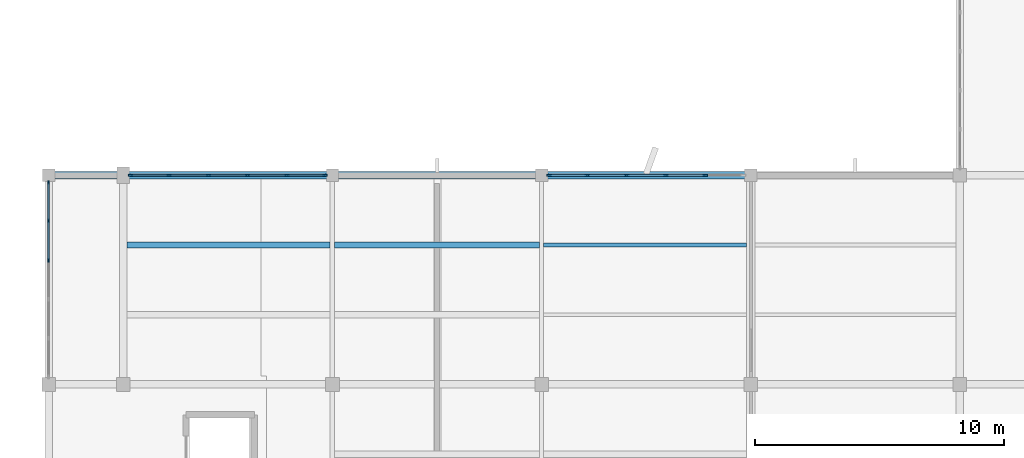
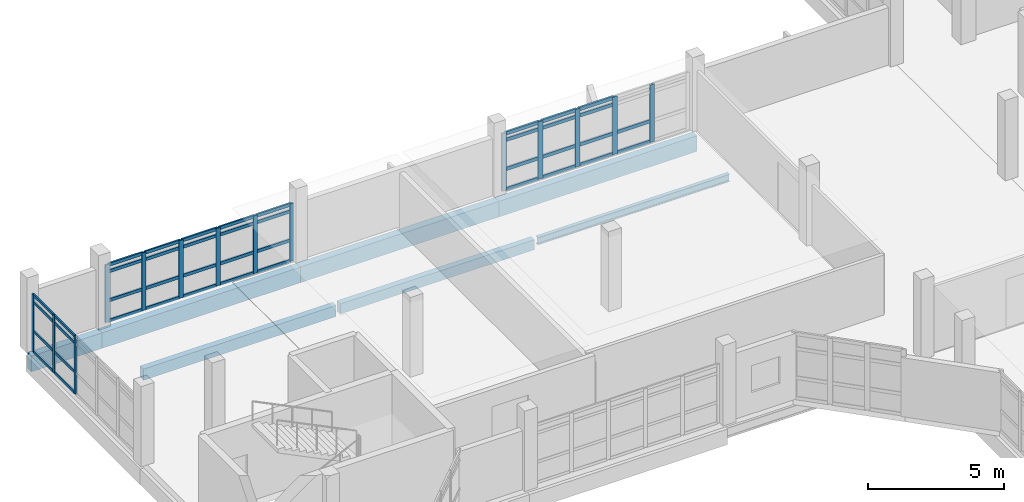
# One storey, part 17 of 51: 56 members, 7 beams, 3 elements without a shape of their own.
"""IFC4 building model written with IfcOpenShell, lengths in metres."""

from ifc_helpers import new_model, si_unit, direction, frame, origin, origin_2d, place, context, subcontext, project, spatial, rectangle, i_section, extrude, material, material_profile, profile_set, type_object, element, aggregate, save


model = new_model("IFC4")

# Units and contexts
model_context = context("Model", 3, precision=1e-05, world=origin(), true_north=direction((0.0, 1.0)))
body_context = subcontext(model_context, "Body", "Model", "MODEL_VIEW")
ifc_project = project(units=[si_unit("LENGTHUNIT", "METRE"), si_unit("AREAUNIT", "SQUARE_METRE"), si_unit("VOLUMEUNIT", "CUBIC_METRE"), si_unit("PLANEANGLEUNIT", "RADIAN"), si_unit("MASSUNIT", "GRAM", prefix="KILO")], contexts=[model_context])

# Site, building, storey
site_placement = place(None, origin())
site = spatial("IfcSite", under=ifc_project, at=site_placement, CompositionType="ELEMENT")
building_placement = place(site_placement, origin())
building = spatial("IfcBuilding", under=site, at=building_placement, Name="Vanh Quang Courtyard School", CompositionType="ELEMENT")
storey_placement = place(building_placement, frame((0.0, 0.0, 11.39990234375)))
storey = spatial("IfcBuildingStorey", under=building, at=storey_placement, Name="L03", CompositionType="ELEMENT", Elevation=11.39990234375)

# Beams
ifc_material_1 = material(Name="Concrete C35/45", Category="concrete")
ifc_material_profile_1 = material_profile(ifc_material_1, rectangle(XDim=0.300048828125, YDim=0.699951171875, at=origin_2d()), Name="RC-SP 300x700")
ifc_profile_set_1 = profile_set([ifc_material_profile_1], Name="Concrete C35/45")
beam_type_1 = type_object("IfcBeamType", Name="BM-SP-300x700", PredefinedType="SPANDREL", material=ifc_profile_set_1)
beam_1_placement = place(storey_placement, frame((37.800048828125, 88.199951171875, -0.64990234375), z_axis=(1.0, 0.0, 0.0), x_axis=(0.0, 1.0, 0.0)))
element("IfcBeam", 1, at=beam_1_placement, inside=storey, type_object=beam_type_1, Name="Beam BS-01 (L03)", PredefinedType="SPANDREL", context=body_context, shape_type="SweptSolid", body=[
    extrude(rectangle(XDim=0.300048828125, YDim=0.699951171875, at=origin_2d()), origin(), (0.0, 0.0, 1.0), 3.0),
])
beam_2_placement = place(storey_placement, frame((40.800048828125, 88.199951171875, -0.64990234375), z_axis=(1.0, 0.0, 0.0), x_axis=(0.0, 1.0, 0.0)))
element("IfcBeam", 2, at=beam_2_placement, inside=storey, type_object=beam_type_1, Name="Beam BS-01 (L03)", PredefinedType="SPANDREL", context=body_context, shape_type="SweptSolid", body=[
    extrude(rectangle(XDim=0.300048828125, YDim=0.699951171875, at=origin_2d()), origin(), (0.0, 0.0, 1.0), 8.39990234375),
])
beam_3_placement = place(storey_placement, frame((49.199951171875, 88.199951171875, -0.64990234375), z_axis=(1.0, 0.0, 0.0), x_axis=(0.0, 1.0, 0.0)))
element("IfcBeam", 3, at=beam_3_placement, inside=storey, type_object=beam_type_1, Name="Beam BS-01 (L03)", PredefinedType="SPANDREL", context=body_context, shape_type="SweptSolid", body=[
    extrude(rectangle(XDim=0.300048828125, YDim=0.699951171875, at=origin_2d()), origin(), (0.0, 0.0, 1.0), 8.400146484375),
])
beam_4_placement = place(storey_placement, frame((57.60009765625, 88.199951171875, -0.64990234375), z_axis=(1.0, 0.0, 0.0), x_axis=(0.0, 1.0, 0.0)))
element("IfcBeam", 4, at=beam_4_placement, inside=storey, type_object=beam_type_1, Name="Beam BS-01 (L03)", PredefinedType="SPANDREL", context=body_context, shape_type="SweptSolid", body=[
    extrude(rectangle(XDim=0.300048828125, YDim=0.699951171875, at=origin_2d()), origin(), (0.0, 0.0, 1.0), 8.39990234375),
])

# Curtain wall, members
ifc_material_2 = material(Name="Thermally broken aluminium unitised curtain wall", Category="aluminium")
curtain_wall_type = type_object("IfcCurtainWallType", Name="CW-SYS-19", PredefinedType="NOTDEFINED", material=ifc_material_2)
curtain_wall_1_placement = place(storey_placement, origin())
curtain_wall_1 = element("IfcCurtainWall", 5, at=curtain_wall_1_placement, inside=storey, type_object=curtain_wall_type, Name="Curtain Wall CW-19 (L03)", PredefinedType="NOTDEFINED")
ifc_material_3 = material(Name="Anodised aluminium 6063-T6", Category="aluminium")
ifc_material_profile_2 = material_profile(ifc_material_3, rectangle(XDim=0.06005859375, YDim=0.159912109375, at=origin_2d()), Name="ALU-MUL 60x160")
ifc_profile_set_2 = profile_set([ifc_material_profile_2], Name="Anodised aluminium 6063-T6")
member_type_1 = type_object("IfcMemberType", Name="CW-MUL-60x160", PredefinedType="MULLION", material=ifc_profile_set_2)
member_1_placement = place(storey_placement, frame((37.800048828125, 84.79833984375, 0.0), z_axis=(0.0, 0.0, 1.0), x_axis=(-1.0, 0.0, 0.0)))
member_1 = element("IfcMember", 6, at=member_1_placement, type_object=member_type_1, Name="CW-19 mullion 4", PredefinedType="MULLION", context=body_context, shape_type="SweptSolid", body=[
    extrude(rectangle(XDim=0.06005859375, YDim=0.159912109375, at=origin_2d()), origin(), (0.0, 0.0, 1.0), 2.580078125),
])
member_2_placement = place(storey_placement, frame((37.800048828125, 86.3701171875, 0.0), z_axis=(0.0, 0.0, 1.0), x_axis=(-1.0, 0.0, 0.0)))
member_2 = element("IfcMember", 7, at=member_2_placement, type_object=member_type_1, Name="CW-19 mullion 5", PredefinedType="MULLION", context=body_context, shape_type="SweptSolid", body=[
    extrude(rectangle(XDim=0.06005859375, YDim=0.159912109375, at=origin_2d()), origin(), (0.0, 0.0, 1.0), 2.580078125),
])
member_3_placement = place(storey_placement, frame((37.800048828125, 87.912109375, 0.0), z_axis=(0.0, 0.0, 1.0), x_axis=(-1.0, 0.0, 0.0)))
member_3 = element("IfcMember", 8, at=member_3_placement, type_object=member_type_1, Name="CW-19 mullion 6", PredefinedType="MULLION", context=body_context, shape_type="SweptSolid", body=[
    extrude(rectangle(XDim=0.06005859375, YDim=0.159912109375, at=origin_2d()), origin(), (0.0, 0.0, 1.0), 2.580078125),
])

curtain_wall_2_placement = place(storey_placement, origin())
curtain_wall_2 = element("IfcCurtainWall", 9, at=curtain_wall_2_placement, inside=storey, type_object=curtain_wall_type, Name="Curtain Wall CW-19 (L03)", PredefinedType="NOTDEFINED")
ifc_material_profile_3 = material_profile(ifc_material_3, rectangle(XDim=0.070068359375, YDim=0.179931640625, at=origin_2d()), Name="ALU-MUL 70x180")
ifc_profile_set_3 = profile_set([ifc_material_profile_3], Name="Anodised aluminium 6063-T6")
member_type_2 = type_object("IfcMemberType", Name="CW-MUL-70x180", PredefinedType="MULLION", material=ifc_profile_set_3)
member_4_placement = place(storey_placement, frame((41.093017578125, 88.199951171875, 0.0), z_axis=(0.0, 0.0, 1.0), x_axis=(0.0, 1.0, 0.0)))
member_4 = element("IfcMember", 10, at=member_4_placement, type_object=member_type_2, Name="CW-19 mullion 1", PredefinedType="MULLION", context=body_context, shape_type="SweptSolid", body=[
    extrude(rectangle(XDim=0.070068359375, YDim=0.179931640625, at=origin_2d()), origin(), (0.0, 0.0, 1.0), 2.580078125),
])
member_5_placement = place(storey_placement, frame((42.634765625, 88.199951171875, 0.0), z_axis=(0.0, 0.0, 1.0), x_axis=(0.0, 1.0, 0.0)))
member_5 = element("IfcMember", 11, at=member_5_placement, type_object=member_type_2, Name="CW-19 mullion 2", PredefinedType="MULLION", context=body_context, shape_type="SweptSolid", body=[
    extrude(rectangle(XDim=0.070068359375, YDim=0.179931640625, at=origin_2d()), origin(), (0.0, 0.0, 1.0), 2.580078125),
])
member_6_placement = place(storey_placement, frame((44.211669921875, 88.199951171875, 0.0), z_axis=(0.0, 0.0, 1.0), x_axis=(0.0, 1.0, 0.0)))
member_6 = element("IfcMember", 12, at=member_6_placement, type_object=member_type_2, Name="CW-19 mullion 3", PredefinedType="MULLION", context=body_context, shape_type="SweptSolid", body=[
    extrude(rectangle(XDim=0.070068359375, YDim=0.179931640625, at=origin_2d()), origin(), (0.0, 0.0, 1.0), 2.580078125),
])
member_7_placement = place(storey_placement, frame((45.788330078125, 88.199951171875, 0.0), z_axis=(0.0, 0.0, 1.0), x_axis=(0.0, 1.0, 0.0)))
member_7 = element("IfcMember", 13, at=member_7_placement, type_object=member_type_2, Name="CW-19 mullion 4", PredefinedType="MULLION", context=body_context, shape_type="SweptSolid", body=[
    extrude(rectangle(XDim=0.070068359375, YDim=0.179931640625, at=origin_2d()), origin(), (0.0, 0.0, 1.0), 2.580078125),
])
member_8_placement = place(storey_placement, frame((47.365234375, 88.199951171875, 0.0), z_axis=(0.0, 0.0, 1.0), x_axis=(0.0, 1.0, 0.0)))
member_8 = element("IfcMember", 14, at=member_8_placement, type_object=member_type_2, Name="CW-19 mullion 5", PredefinedType="MULLION", context=body_context, shape_type="SweptSolid", body=[
    extrude(rectangle(XDim=0.070068359375, YDim=0.179931640625, at=origin_2d()), origin(), (0.0, 0.0, 1.0), 2.580078125),
])
member_9_placement = place(storey_placement, frame((48.906982421875, 88.199951171875, 0.0), z_axis=(0.0, 0.0, 1.0), x_axis=(0.0, 1.0, 0.0)))
member_9 = element("IfcMember", 15, at=member_9_placement, type_object=member_type_2, Name="CW-19 mullion 6", PredefinedType="MULLION", context=body_context, shape_type="SweptSolid", body=[
    extrude(rectangle(XDim=0.070068359375, YDim=0.179931640625, at=origin_2d()), origin(), (0.0, 0.0, 1.0), 2.580078125),
])

curtain_wall_3_placement = place(storey_placement, origin())
curtain_wall_3 = element("IfcCurtainWall", 16, at=curtain_wall_3_placement, inside=storey, type_object=curtain_wall_type, Name="Curtain Wall CW-19 (L03)", PredefinedType="NOTDEFINED")
ifc_material_profile_4 = material_profile(ifc_material_3, rectangle(XDim=0.080078125, YDim=0.199951171875, at=origin_2d()), Name="ALU-MUL 80x200")
ifc_profile_set_4 = profile_set([ifc_material_profile_4], Name="Anodised aluminium 6063-T6")
member_type_3 = type_object("IfcMemberType", Name="CW-MUL-80x200", PredefinedType="MULLION", material=ifc_profile_set_4)
member_10_placement = place(storey_placement, frame((57.89794921875, 88.199951171875, 0.0), z_axis=(0.0, 0.0, 1.0), x_axis=(0.0, 1.0, 0.0)))
member_10 = element("IfcMember", 17, at=member_10_placement, type_object=member_type_3, Name="CW-19 mullion 1", PredefinedType="MULLION", context=body_context, shape_type="SweptSolid", body=[
    extrude(rectangle(XDim=0.080078125, YDim=0.199951171875, at=origin_2d()), origin(), (0.0, 0.0, 1.0), 2.580078125),
])
member_11_placement = place(storey_placement, frame((59.434814453125, 88.199951171875, 0.0), z_axis=(0.0, 0.0, 1.0), x_axis=(0.0, 1.0, 0.0)))
member_11 = element("IfcMember", 18, at=member_11_placement, type_object=member_type_3, Name="CW-19 mullion 2", PredefinedType="MULLION", context=body_context, shape_type="SweptSolid", body=[
    extrude(rectangle(XDim=0.080078125, YDim=0.199951171875, at=origin_2d()), origin(), (0.0, 0.0, 1.0), 2.580078125),
])
member_12_placement = place(storey_placement, frame((61.01171875, 88.199951171875, 0.0), z_axis=(0.0, 0.0, 1.0), x_axis=(0.0, 1.0, 0.0)))
member_12 = element("IfcMember", 19, at=member_12_placement, type_object=member_type_3, Name="CW-19 mullion 3", PredefinedType="MULLION", context=body_context, shape_type="SweptSolid", body=[
    extrude(rectangle(XDim=0.080078125, YDim=0.199951171875, at=origin_2d()), origin(), (0.0, 0.0, 1.0), 2.580078125),
])
member_13_placement = place(storey_placement, frame((62.58837890625, 88.199951171875, 0.0), z_axis=(0.0, 0.0, 1.0), x_axis=(0.0, 1.0, 0.0)))
member_13 = element("IfcMember", 20, at=member_13_placement, type_object=member_type_3, Name="CW-19 mullion 4", PredefinedType="MULLION", context=body_context, shape_type="SweptSolid", body=[
    extrude(rectangle(XDim=0.080078125, YDim=0.199951171875, at=origin_2d()), origin(), (0.0, 0.0, 1.0), 2.580078125),
])
member_14_placement = place(storey_placement, frame((64.165283203125, 88.199951171875, 0.0), z_axis=(0.0, 0.0, 1.0), x_axis=(0.0, 1.0, 0.0)))
member_14 = element("IfcMember", 21, at=member_14_placement, type_object=member_type_3, Name="CW-19 mullion 5", PredefinedType="MULLION", context=body_context, shape_type="SweptSolid", body=[
    extrude(rectangle(XDim=0.080078125, YDim=0.199951171875, at=origin_2d()), origin(), (0.0, 0.0, 1.0), 2.580078125),
])

# Member
ifc_material_profile_5 = material_profile(ifc_material_3, rectangle(XDim=0.06005859375, YDim=0.1201171875, at=origin_2d()), Name="ALU-TRN 60x120")
ifc_profile_set_5 = profile_set([ifc_material_profile_5], Name="Anodised aluminium 6063-T6")
member_type_4 = type_object("IfcMemberType", Name="CW-TRN-60x120", PredefinedType="USERDEFINED", material=ifc_profile_set_5)
member_15_placement = place(storey_placement, frame((37.800048828125, 84.828369140625, 0.030029296875), z_axis=(0.0, 1.0, 0.0), x_axis=(-1.0, 0.0, 0.0)))
member_15 = element("IfcMember", 22, at=member_15_placement, type_object=member_type_4, Name="CW-19 transom 4.1", ObjectType="TRANSOM", PredefinedType="USERDEFINED", context=body_context, shape_type="SweptSolid", body=[
    extrude(rectangle(XDim=0.06005859375, YDim=0.1201171875, at=origin_2d()), origin(), (0.0, 0.0, 1.0), 1.51171875),
])

member_16_placement = place(storey_placement, frame((37.800048828125, 84.828369140625, 0.9501953125), z_axis=(0.0, 1.0, 0.0), x_axis=(-1.0, 0.0, 0.0)))
member_16 = element("IfcMember", 23, at=member_16_placement, type_object=member_type_4, Name="CW-19 transom 4.2", ObjectType="TRANSOM", PredefinedType="USERDEFINED", context=body_context, shape_type="SweptSolid", body=[
    extrude(rectangle(XDim=0.06005859375, YDim=0.1201171875, at=origin_2d()), origin(), (0.0, 0.0, 1.0), 1.51171875),
])

member_17_placement = place(storey_placement, frame((37.800048828125, 84.828369140625, 2.25), z_axis=(0.0, 1.0, 0.0), x_axis=(-1.0, 0.0, 0.0)))
member_17 = element("IfcMember", 24, at=member_17_placement, type_object=member_type_4, Name="CW-19 transom 4.3", ObjectType="TRANSOM", PredefinedType="USERDEFINED", context=body_context, shape_type="SweptSolid", body=[
    extrude(rectangle(XDim=0.06005859375, YDim=0.1201171875, at=origin_2d()), origin(), (0.0, 0.0, 1.0), 1.51171875),
])

member_18_placement = place(storey_placement, frame((37.800048828125, 84.828369140625, 2.550048828125), z_axis=(0.0, 1.0, 0.0), x_axis=(-1.0, 0.0, 0.0)))
member_18 = element("IfcMember", 25, at=member_18_placement, type_object=member_type_4, Name="CW-19 transom 4.4", ObjectType="TRANSOM", PredefinedType="USERDEFINED", context=body_context, shape_type="SweptSolid", body=[
    extrude(rectangle(XDim=0.06005859375, YDim=0.1201171875, at=origin_2d()), origin(), (0.0, 0.0, 1.0), 1.51171875),
])

member_19_placement = place(storey_placement, frame((37.800048828125, 86.400146484375, 0.030029296875), z_axis=(0.0, 1.0, 0.0), x_axis=(-1.0, 0.0, 0.0)))
member_19 = element("IfcMember", 26, at=member_19_placement, type_object=member_type_4, Name="CW-19 transom 5.1", ObjectType="TRANSOM", PredefinedType="USERDEFINED", context=body_context, shape_type="SweptSolid", body=[
    extrude(rectangle(XDim=0.06005859375, YDim=0.1201171875, at=origin_2d()), origin(), (0.0, 0.0, 1.0), 1.48193359375),
])

member_20_placement = place(storey_placement, frame((37.800048828125, 86.400146484375, 0.9501953125), z_axis=(0.0, 1.0, 0.0), x_axis=(-1.0, 0.0, 0.0)))
member_20 = element("IfcMember", 27, at=member_20_placement, type_object=member_type_4, Name="CW-19 transom 5.2", ObjectType="TRANSOM", PredefinedType="USERDEFINED", context=body_context, shape_type="SweptSolid", body=[
    extrude(rectangle(XDim=0.06005859375, YDim=0.1201171875, at=origin_2d()), origin(), (0.0, 0.0, 1.0), 1.48193359375),
])

member_21_placement = place(storey_placement, frame((37.800048828125, 86.400146484375, 2.25), z_axis=(0.0, 1.0, 0.0), x_axis=(-1.0, 0.0, 0.0)))
member_21 = element("IfcMember", 28, at=member_21_placement, type_object=member_type_4, Name="CW-19 transom 5.3", ObjectType="TRANSOM", PredefinedType="USERDEFINED", context=body_context, shape_type="SweptSolid", body=[
    extrude(rectangle(XDim=0.06005859375, YDim=0.1201171875, at=origin_2d()), origin(), (0.0, 0.0, 1.0), 1.48193359375),
])

member_22_placement = place(storey_placement, frame((37.800048828125, 86.400146484375, 2.550048828125), z_axis=(0.0, 1.0, 0.0), x_axis=(-1.0, 0.0, 0.0)))
member_22 = element("IfcMember", 29, at=member_22_placement, type_object=member_type_4, Name="CW-19 transom 5.4", ObjectType="TRANSOM", PredefinedType="USERDEFINED", context=body_context, shape_type="SweptSolid", body=[
    extrude(rectangle(XDim=0.06005859375, YDim=0.1201171875, at=origin_2d()), origin(), (0.0, 0.0, 1.0), 1.48193359375),
])

aggregate(curtain_wall_1, [member_1, member_2, member_3, member_15, member_16, member_17, member_18, member_19, member_20, member_21, member_22])

ifc_material_profile_6 = material_profile(ifc_material_3, rectangle(XDim=0.070068359375, YDim=0.139892578125, at=origin_2d()), Name="ALU-TRN 70x140")
ifc_profile_set_6 = profile_set([ifc_material_profile_6], Name="Anodised aluminium 6063-T6")
member_type_5 = type_object("IfcMemberType", Name="CW-TRN-70x140", PredefinedType="USERDEFINED", material=ifc_profile_set_6)
member_23_placement = place(storey_placement, frame((41.1279296875, 88.199951171875, 0.03515625), z_axis=(1.0, 0.0, 0.0), x_axis=(0.0, 1.0, 0.0)))
member_23 = element("IfcMember", 30, at=member_23_placement, type_object=member_type_5, Name="CW-19 transom 1.1", ObjectType="TRANSOM", PredefinedType="USERDEFINED", context=body_context, shape_type="SweptSolid", body=[
    extrude(rectangle(XDim=0.070068359375, YDim=0.139892578125, at=origin_2d()), origin(), (0.0, 0.0, 1.0), 1.471923828125),
])

member_24_placement = place(storey_placement, frame((41.1279296875, 88.199951171875, 0.9501953125), z_axis=(1.0, 0.0, 0.0), x_axis=(0.0, 1.0, 0.0)))
member_24 = element("IfcMember", 31, at=member_24_placement, type_object=member_type_5, Name="CW-19 transom 1.2", ObjectType="TRANSOM", PredefinedType="USERDEFINED", context=body_context, shape_type="SweptSolid", body=[
    extrude(rectangle(XDim=0.070068359375, YDim=0.139892578125, at=origin_2d()), origin(), (0.0, 0.0, 1.0), 1.471923828125),
])

member_25_placement = place(storey_placement, frame((41.1279296875, 88.199951171875, 2.25), z_axis=(1.0, 0.0, 0.0), x_axis=(0.0, 1.0, 0.0)))
member_25 = element("IfcMember", 32, at=member_25_placement, type_object=member_type_5, Name="CW-19 transom 1.3", ObjectType="TRANSOM", PredefinedType="USERDEFINED", context=body_context, shape_type="SweptSolid", body=[
    extrude(rectangle(XDim=0.070068359375, YDim=0.139892578125, at=origin_2d()), origin(), (0.0, 0.0, 1.0), 1.471923828125),
])

member_26_placement = place(storey_placement, frame((41.1279296875, 88.199951171875, 2.545166015625), z_axis=(1.0, 0.0, 0.0), x_axis=(0.0, 1.0, 0.0)))
member_26 = element("IfcMember", 33, at=member_26_placement, type_object=member_type_5, Name="CW-19 transom 1.4", ObjectType="TRANSOM", PredefinedType="USERDEFINED", context=body_context, shape_type="SweptSolid", body=[
    extrude(rectangle(XDim=0.070068359375, YDim=0.139892578125, at=origin_2d()), origin(), (0.0, 0.0, 1.0), 1.471923828125),
])

member_27_placement = place(storey_placement, frame((42.669921875, 88.199951171875, 0.03515625), z_axis=(1.0, 0.0, 0.0), x_axis=(0.0, 1.0, 0.0)))
member_27 = element("IfcMember", 34, at=member_27_placement, type_object=member_type_5, Name="CW-19 transom 2.1", ObjectType="TRANSOM", PredefinedType="USERDEFINED", context=body_context, shape_type="SweptSolid", body=[
    extrude(rectangle(XDim=0.070068359375, YDim=0.139892578125, at=origin_2d()), origin(), (0.0, 0.0, 1.0), 1.506591796875),
])

member_28_placement = place(storey_placement, frame((42.669921875, 88.199951171875, 0.9501953125), z_axis=(1.0, 0.0, 0.0), x_axis=(0.0, 1.0, 0.0)))
member_28 = element("IfcMember", 35, at=member_28_placement, type_object=member_type_5, Name="CW-19 transom 2.2", ObjectType="TRANSOM", PredefinedType="USERDEFINED", context=body_context, shape_type="SweptSolid", body=[
    extrude(rectangle(XDim=0.070068359375, YDim=0.139892578125, at=origin_2d()), origin(), (0.0, 0.0, 1.0), 1.506591796875),
])

member_29_placement = place(storey_placement, frame((42.669921875, 88.199951171875, 2.25), z_axis=(1.0, 0.0, 0.0), x_axis=(0.0, 1.0, 0.0)))
member_29 = element("IfcMember", 36, at=member_29_placement, type_object=member_type_5, Name="CW-19 transom 2.3", ObjectType="TRANSOM", PredefinedType="USERDEFINED", context=body_context, shape_type="SweptSolid", body=[
    extrude(rectangle(XDim=0.070068359375, YDim=0.139892578125, at=origin_2d()), origin(), (0.0, 0.0, 1.0), 1.506591796875),
])

member_30_placement = place(storey_placement, frame((42.669921875, 88.199951171875, 2.545166015625), z_axis=(1.0, 0.0, 0.0), x_axis=(0.0, 1.0, 0.0)))
member_30 = element("IfcMember", 37, at=member_30_placement, type_object=member_type_5, Name="CW-19 transom 2.4", ObjectType="TRANSOM", PredefinedType="USERDEFINED", context=body_context, shape_type="SweptSolid", body=[
    extrude(rectangle(XDim=0.070068359375, YDim=0.139892578125, at=origin_2d()), origin(), (0.0, 0.0, 1.0), 1.506591796875),
])

member_31_placement = place(storey_placement, frame((44.24658203125, 88.199951171875, 0.03515625), z_axis=(1.0, 0.0, 0.0), x_axis=(0.0, 1.0, 0.0)))
member_31 = element("IfcMember", 38, at=member_31_placement, type_object=member_type_5, Name="CW-19 transom 3.1", ObjectType="TRANSOM", PredefinedType="USERDEFINED", context=body_context, shape_type="SweptSolid", body=[
    extrude(rectangle(XDim=0.070068359375, YDim=0.139892578125, at=origin_2d()), origin(), (0.0, 0.0, 1.0), 1.5068359375),
])

member_32_placement = place(storey_placement, frame((44.24658203125, 88.199951171875, 0.9501953125), z_axis=(1.0, 0.0, 0.0), x_axis=(0.0, 1.0, 0.0)))
member_32 = element("IfcMember", 39, at=member_32_placement, type_object=member_type_5, Name="CW-19 transom 3.2", ObjectType="TRANSOM", PredefinedType="USERDEFINED", context=body_context, shape_type="SweptSolid", body=[
    extrude(rectangle(XDim=0.070068359375, YDim=0.139892578125, at=origin_2d()), origin(), (0.0, 0.0, 1.0), 1.5068359375),
])

member_33_placement = place(storey_placement, frame((44.24658203125, 88.199951171875, 2.25), z_axis=(1.0, 0.0, 0.0), x_axis=(0.0, 1.0, 0.0)))
member_33 = element("IfcMember", 40, at=member_33_placement, type_object=member_type_5, Name="CW-19 transom 3.3", ObjectType="TRANSOM", PredefinedType="USERDEFINED", context=body_context, shape_type="SweptSolid", body=[
    extrude(rectangle(XDim=0.070068359375, YDim=0.139892578125, at=origin_2d()), origin(), (0.0, 0.0, 1.0), 1.5068359375),
])

member_34_placement = place(storey_placement, frame((44.24658203125, 88.199951171875, 2.545166015625), z_axis=(1.0, 0.0, 0.0), x_axis=(0.0, 1.0, 0.0)))
member_34 = element("IfcMember", 41, at=member_34_placement, type_object=member_type_5, Name="CW-19 transom 3.4", ObjectType="TRANSOM", PredefinedType="USERDEFINED", context=body_context, shape_type="SweptSolid", body=[
    extrude(rectangle(XDim=0.070068359375, YDim=0.139892578125, at=origin_2d()), origin(), (0.0, 0.0, 1.0), 1.5068359375),
])

member_35_placement = place(storey_placement, frame((45.823486328125, 88.199951171875, 0.03515625), z_axis=(1.0, 0.0, 0.0), x_axis=(0.0, 1.0, 0.0)))
member_35 = element("IfcMember", 42, at=member_35_placement, type_object=member_type_5, Name="CW-19 transom 4.1", ObjectType="TRANSOM", PredefinedType="USERDEFINED", context=body_context, shape_type="SweptSolid", body=[
    extrude(rectangle(XDim=0.070068359375, YDim=0.139892578125, at=origin_2d()), origin(), (0.0, 0.0, 1.0), 1.506591796875),
])

member_36_placement = place(storey_placement, frame((45.823486328125, 88.199951171875, 0.9501953125), z_axis=(1.0, 0.0, 0.0), x_axis=(0.0, 1.0, 0.0)))
member_36 = element("IfcMember", 43, at=member_36_placement, type_object=member_type_5, Name="CW-19 transom 4.2", ObjectType="TRANSOM", PredefinedType="USERDEFINED", context=body_context, shape_type="SweptSolid", body=[
    extrude(rectangle(XDim=0.070068359375, YDim=0.139892578125, at=origin_2d()), origin(), (0.0, 0.0, 1.0), 1.506591796875),
])

member_37_placement = place(storey_placement, frame((45.823486328125, 88.199951171875, 2.25), z_axis=(1.0, 0.0, 0.0), x_axis=(0.0, 1.0, 0.0)))
member_37 = element("IfcMember", 44, at=member_37_placement, type_object=member_type_5, Name="CW-19 transom 4.3", ObjectType="TRANSOM", PredefinedType="USERDEFINED", context=body_context, shape_type="SweptSolid", body=[
    extrude(rectangle(XDim=0.070068359375, YDim=0.139892578125, at=origin_2d()), origin(), (0.0, 0.0, 1.0), 1.506591796875),
])

member_38_placement = place(storey_placement, frame((45.823486328125, 88.199951171875, 2.545166015625), z_axis=(1.0, 0.0, 0.0), x_axis=(0.0, 1.0, 0.0)))
member_38 = element("IfcMember", 45, at=member_38_placement, type_object=member_type_5, Name="CW-19 transom 4.4", ObjectType="TRANSOM", PredefinedType="USERDEFINED", context=body_context, shape_type="SweptSolid", body=[
    extrude(rectangle(XDim=0.070068359375, YDim=0.139892578125, at=origin_2d()), origin(), (0.0, 0.0, 1.0), 1.506591796875),
])

member_39_placement = place(storey_placement, frame((47.400146484375, 88.199951171875, 0.03515625), z_axis=(1.0, 0.0, 0.0), x_axis=(0.0, 1.0, 0.0)))
member_39 = element("IfcMember", 46, at=member_39_placement, type_object=member_type_5, Name="CW-19 transom 5.1", ObjectType="TRANSOM", PredefinedType="USERDEFINED", context=body_context, shape_type="SweptSolid", body=[
    extrude(rectangle(XDim=0.070068359375, YDim=0.139892578125, at=origin_2d()), origin(), (0.0, 0.0, 1.0), 1.471923828125),
])

member_40_placement = place(storey_placement, frame((47.400146484375, 88.199951171875, 0.9501953125), z_axis=(1.0, 0.0, 0.0), x_axis=(0.0, 1.0, 0.0)))
member_40 = element("IfcMember", 47, at=member_40_placement, type_object=member_type_5, Name="CW-19 transom 5.2", ObjectType="TRANSOM", PredefinedType="USERDEFINED", context=body_context, shape_type="SweptSolid", body=[
    extrude(rectangle(XDim=0.070068359375, YDim=0.139892578125, at=origin_2d()), origin(), (0.0, 0.0, 1.0), 1.471923828125),
])

member_41_placement = place(storey_placement, frame((47.400146484375, 88.199951171875, 2.25), z_axis=(1.0, 0.0, 0.0), x_axis=(0.0, 1.0, 0.0)))
member_41 = element("IfcMember", 48, at=member_41_placement, type_object=member_type_5, Name="CW-19 transom 5.3", ObjectType="TRANSOM", PredefinedType="USERDEFINED", context=body_context, shape_type="SweptSolid", body=[
    extrude(rectangle(XDim=0.070068359375, YDim=0.139892578125, at=origin_2d()), origin(), (0.0, 0.0, 1.0), 1.471923828125),
])

member_42_placement = place(storey_placement, frame((47.400146484375, 88.199951171875, 2.545166015625), z_axis=(1.0, 0.0, 0.0), x_axis=(0.0, 1.0, 0.0)))
member_42 = element("IfcMember", 49, at=member_42_placement, type_object=member_type_5, Name="CW-19 transom 5.4", ObjectType="TRANSOM", PredefinedType="USERDEFINED", context=body_context, shape_type="SweptSolid", body=[
    extrude(rectangle(XDim=0.070068359375, YDim=0.139892578125, at=origin_2d()), origin(), (0.0, 0.0, 1.0), 1.471923828125),
])

aggregate(curtain_wall_2, [member_4, member_5, member_6, member_7, member_8, member_9, member_23, member_24, member_25, member_26, member_27, member_28, member_29, member_30, member_31, member_32, member_33, member_34, member_35, member_36, member_37, member_38, member_39, member_40, member_41, member_42])

ifc_material_profile_7 = material_profile(ifc_material_3, rectangle(XDim=0.080078125, YDim=0.14990234375, at=origin_2d()), Name="ALU-TRN 80x150")
ifc_profile_set_7 = profile_set([ifc_material_profile_7], Name="Anodised aluminium 6063-T6")
member_type_6 = type_object("IfcMemberType", Name="CW-TRN-80x150", PredefinedType="USERDEFINED", material=ifc_profile_set_7)
member_43_placement = place(storey_placement, frame((57.93798828125, 88.199951171875, 0.0400390625), z_axis=(1.0, 0.0, 0.0), x_axis=(0.0, 1.0, 0.0)))
member_43 = element("IfcMember", 50, at=member_43_placement, type_object=member_type_6, Name="CW-19 transom 1.1", ObjectType="TRANSOM", PredefinedType="USERDEFINED", context=body_context, shape_type="SweptSolid", body=[
    extrude(rectangle(XDim=0.080078125, YDim=0.14990234375, at=origin_2d()), origin(), (0.0, 0.0, 1.0), 1.456787109375),
])

member_44_placement = place(storey_placement, frame((57.93798828125, 88.199951171875, 0.9501953125), z_axis=(1.0, 0.0, 0.0), x_axis=(0.0, 1.0, 0.0)))
member_44 = element("IfcMember", 51, at=member_44_placement, type_object=member_type_6, Name="CW-19 transom 1.2", ObjectType="TRANSOM", PredefinedType="USERDEFINED", context=body_context, shape_type="SweptSolid", body=[
    extrude(rectangle(XDim=0.080078125, YDim=0.14990234375, at=origin_2d()), origin(), (0.0, 0.0, 1.0), 1.456787109375),
])

member_45_placement = place(storey_placement, frame((57.93798828125, 88.199951171875, 2.25), z_axis=(1.0, 0.0, 0.0), x_axis=(0.0, 1.0, 0.0)))
member_45 = element("IfcMember", 52, at=member_45_placement, type_object=member_type_6, Name="CW-19 transom 1.3", ObjectType="TRANSOM", PredefinedType="USERDEFINED", context=body_context, shape_type="SweptSolid", body=[
    extrude(rectangle(XDim=0.080078125, YDim=0.14990234375, at=origin_2d()), origin(), (0.0, 0.0, 1.0), 1.456787109375),
])

member_46_placement = place(storey_placement, frame((57.93798828125, 88.199951171875, 2.5400390625), z_axis=(1.0, 0.0, 0.0), x_axis=(0.0, 1.0, 0.0)))
member_46 = element("IfcMember", 53, at=member_46_placement, type_object=member_type_6, Name="CW-19 transom 1.4", ObjectType="TRANSOM", PredefinedType="USERDEFINED", context=body_context, shape_type="SweptSolid", body=[
    extrude(rectangle(XDim=0.080078125, YDim=0.14990234375, at=origin_2d()), origin(), (0.0, 0.0, 1.0), 1.456787109375),
])

member_47_placement = place(storey_placement, frame((59.474853515625, 88.199951171875, 0.0400390625), z_axis=(1.0, 0.0, 0.0), x_axis=(0.0, 1.0, 0.0)))
member_47 = element("IfcMember", 54, at=member_47_placement, type_object=member_type_6, Name="CW-19 transom 2.1", ObjectType="TRANSOM", PredefinedType="USERDEFINED", context=body_context, shape_type="SweptSolid", body=[
    extrude(rectangle(XDim=0.080078125, YDim=0.14990234375, at=origin_2d()), origin(), (0.0, 0.0, 1.0), 1.496826171875),
])

member_48_placement = place(storey_placement, frame((59.474853515625, 88.199951171875, 0.9501953125), z_axis=(1.0, 0.0, 0.0), x_axis=(0.0, 1.0, 0.0)))
member_48 = element("IfcMember", 55, at=member_48_placement, type_object=member_type_6, Name="CW-19 transom 2.2", ObjectType="TRANSOM", PredefinedType="USERDEFINED", context=body_context, shape_type="SweptSolid", body=[
    extrude(rectangle(XDim=0.080078125, YDim=0.14990234375, at=origin_2d()), origin(), (0.0, 0.0, 1.0), 1.496826171875),
])

member_49_placement = place(storey_placement, frame((59.474853515625, 88.199951171875, 2.25), z_axis=(1.0, 0.0, 0.0), x_axis=(0.0, 1.0, 0.0)))
member_49 = element("IfcMember", 56, at=member_49_placement, type_object=member_type_6, Name="CW-19 transom 2.3", ObjectType="TRANSOM", PredefinedType="USERDEFINED", context=body_context, shape_type="SweptSolid", body=[
    extrude(rectangle(XDim=0.080078125, YDim=0.14990234375, at=origin_2d()), origin(), (0.0, 0.0, 1.0), 1.496826171875),
])

member_50_placement = place(storey_placement, frame((59.474853515625, 88.199951171875, 2.5400390625), z_axis=(1.0, 0.0, 0.0), x_axis=(0.0, 1.0, 0.0)))
member_50 = element("IfcMember", 57, at=member_50_placement, type_object=member_type_6, Name="CW-19 transom 2.4", ObjectType="TRANSOM", PredefinedType="USERDEFINED", context=body_context, shape_type="SweptSolid", body=[
    extrude(rectangle(XDim=0.080078125, YDim=0.14990234375, at=origin_2d()), origin(), (0.0, 0.0, 1.0), 1.496826171875),
])

member_51_placement = place(storey_placement, frame((61.051513671875, 88.199951171875, 0.0400390625), z_axis=(1.0, 0.0, 0.0), x_axis=(0.0, 1.0, 0.0)))
member_51 = element("IfcMember", 58, at=member_51_placement, type_object=member_type_6, Name="CW-19 transom 3.1", ObjectType="TRANSOM", PredefinedType="USERDEFINED", context=body_context, shape_type="SweptSolid", body=[
    extrude(rectangle(XDim=0.080078125, YDim=0.14990234375, at=origin_2d()), origin(), (0.0, 0.0, 1.0), 1.496826171875),
])

member_52_placement = place(storey_placement, frame((61.051513671875, 88.199951171875, 0.9501953125), z_axis=(1.0, 0.0, 0.0), x_axis=(0.0, 1.0, 0.0)))
member_52 = element("IfcMember", 59, at=member_52_placement, type_object=member_type_6, Name="CW-19 transom 3.2", ObjectType="TRANSOM", PredefinedType="USERDEFINED", context=body_context, shape_type="SweptSolid", body=[
    extrude(rectangle(XDim=0.080078125, YDim=0.14990234375, at=origin_2d()), origin(), (0.0, 0.0, 1.0), 1.496826171875),
])

member_53_placement = place(storey_placement, frame((61.051513671875, 88.199951171875, 2.25), z_axis=(1.0, 0.0, 0.0), x_axis=(0.0, 1.0, 0.0)))
member_53 = element("IfcMember", 60, at=member_53_placement, type_object=member_type_6, Name="CW-19 transom 3.3", ObjectType="TRANSOM", PredefinedType="USERDEFINED", context=body_context, shape_type="SweptSolid", body=[
    extrude(rectangle(XDim=0.080078125, YDim=0.14990234375, at=origin_2d()), origin(), (0.0, 0.0, 1.0), 1.496826171875),
])

member_54_placement = place(storey_placement, frame((61.051513671875, 88.199951171875, 2.5400390625), z_axis=(1.0, 0.0, 0.0), x_axis=(0.0, 1.0, 0.0)))
member_54 = element("IfcMember", 61, at=member_54_placement, type_object=member_type_6, Name="CW-19 transom 3.4", ObjectType="TRANSOM", PredefinedType="USERDEFINED", context=body_context, shape_type="SweptSolid", body=[
    extrude(rectangle(XDim=0.080078125, YDim=0.14990234375, at=origin_2d()), origin(), (0.0, 0.0, 1.0), 1.496826171875),
])

member_55_placement = place(storey_placement, frame((62.62841796875, 88.199951171875, 0.0400390625), z_axis=(1.0, 0.0, 0.0), x_axis=(0.0, 1.0, 0.0)))
member_55 = element("IfcMember", 62, at=member_55_placement, type_object=member_type_6, Name="CW-19 transom 4.1", ObjectType="TRANSOM", PredefinedType="USERDEFINED", context=body_context, shape_type="SweptSolid", body=[
    extrude(rectangle(XDim=0.080078125, YDim=0.14990234375, at=origin_2d()), origin(), (0.0, 0.0, 1.0), 1.496826171875),
])

member_56_placement = place(storey_placement, frame((62.62841796875, 88.199951171875, 0.9501953125), z_axis=(1.0, 0.0, 0.0), x_axis=(0.0, 1.0, 0.0)))
member_56 = element("IfcMember", 63, at=member_56_placement, type_object=member_type_6, Name="CW-19 transom 4.2", ObjectType="TRANSOM", PredefinedType="USERDEFINED", context=body_context, shape_type="SweptSolid", body=[
    extrude(rectangle(XDim=0.080078125, YDim=0.14990234375, at=origin_2d()), origin(), (0.0, 0.0, 1.0), 1.496826171875),
])

aggregate(curtain_wall_3, [member_10, member_11, member_12, member_13, member_14, member_43, member_44, member_45, member_46, member_47, member_48, member_49, member_50, member_51, member_52, member_53, member_54, member_55, member_56])

# Beams
ifc_material_4 = material(Name="Concrete C30/37", Category="concrete")
ifc_material_profile_8 = material_profile(ifc_material_4, rectangle(XDim=0.25, YDim=0.449951171875, at=origin_2d()), Name="RC-JST 250x450")
ifc_profile_set_8 = profile_set([ifc_material_profile_8], Name="Concrete C30/37")
beam_type_2 = type_object("IfcBeamType", Name="JST-RC-250x450", PredefinedType="JOIST", material=ifc_profile_set_8)
beam_5_placement = place(storey_placement, frame((49.2900390625, 85.39990234375, -0.52490234375), z_axis=(1.0, 0.0, 0.0), x_axis=(0.0, 1.0, 0.0)))
element("IfcBeam", 64, at=beam_5_placement, inside=storey, type_object=beam_type_2, Name="Beam BJ-02 (L03)", PredefinedType="JOIST", context=body_context, shape_type="SweptSolid", body=[
    extrude(rectangle(XDim=0.25, YDim=0.449951171875, at=origin_2d()), origin(), (0.0, 0.0, 1.0), 8.224853515625),
])
ifc_material_profile_9 = material_profile(ifc_material_4, rectangle(XDim=0.25, YDim=0.5, at=origin_2d()), Name="RC-JST 250x500")
ifc_profile_set_9 = profile_set([ifc_material_profile_9], Name="Concrete C30/37")
beam_type_3 = type_object("IfcBeamType", Name="JST-RC-250x500", PredefinedType="JOIST", material=ifc_profile_set_9)
beam_6_placement = place(storey_placement, frame((40.949951171875, 85.39990234375, -0.5498046875), z_axis=(1.0, 0.0, 0.0), x_axis=(0.0, 1.0, 0.0)))
element("IfcBeam", 65, at=beam_6_placement, inside=storey, type_object=beam_type_3, Name="Beam BJ-01 (L03)", PredefinedType="JOIST", context=body_context, shape_type="SweptSolid", body=[
    extrude(rectangle(XDim=0.25, YDim=0.5, at=origin_2d()), origin(), (0.0, 0.0, 1.0), 8.16015625),
])
ifc_material_5 = material(Name="Structural steel EN 10025-2 S355J2", Category="steel")
ifc_material_profile_10 = material_profile(ifc_material_5, i_section(OverallWidth=0.159912109375, OverallDepth=0.330078125, WebThickness=0.007568359375, FlangeThickness=0.011474609375, FilletRadius=0.01806640625, at=origin_2d()), Name="IPE 330")
ifc_profile_set_10 = profile_set([ifc_material_profile_10], Name="Structural steel EN 10025-2 S355J2")
beam_type_4 = type_object("IfcBeamType", Name="JST-STL-IPE330", PredefinedType="JOIST", material=ifc_profile_set_10)
beam_7_placement = place(storey_placement, frame((57.68505859375, 85.39990234375, -0.46484375), z_axis=(1.0, 0.0, 0.0), x_axis=(0.0, 1.0, 0.0)))
element("IfcBeam", 66, at=beam_7_placement, inside=storey, type_object=beam_type_4, Name="Beam SJ-01 (L03)", PredefinedType="JOIST", context=body_context, shape_type="SweptSolid", body=[
    extrude(i_section(OverallWidth=0.159912109375, OverallDepth=0.330078125, WebThickness=0.007568359375, FlangeThickness=0.011474609375, FilletRadius=0.01806640625, at=origin_2d()), origin(), (0.0, 0.0, 1.0), 8.139892578125),
])

save(model, "model.ifc")
